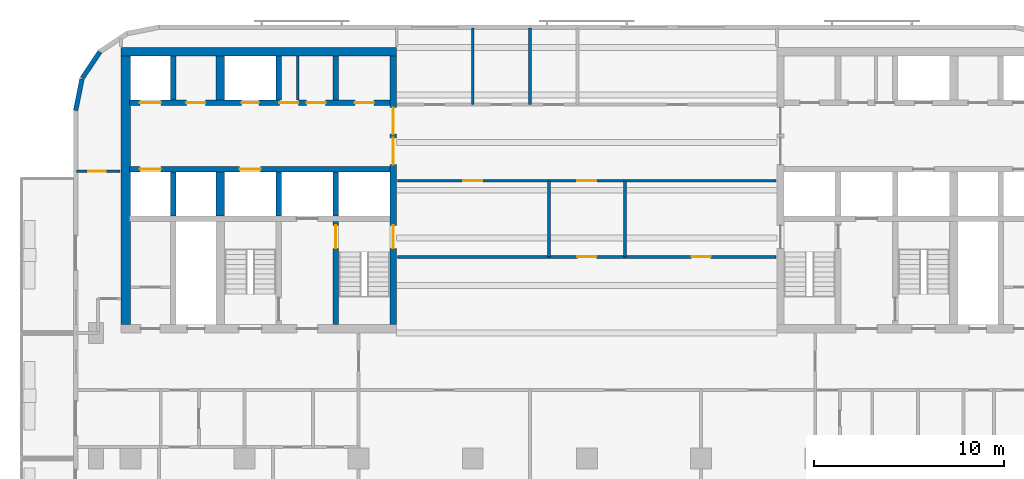
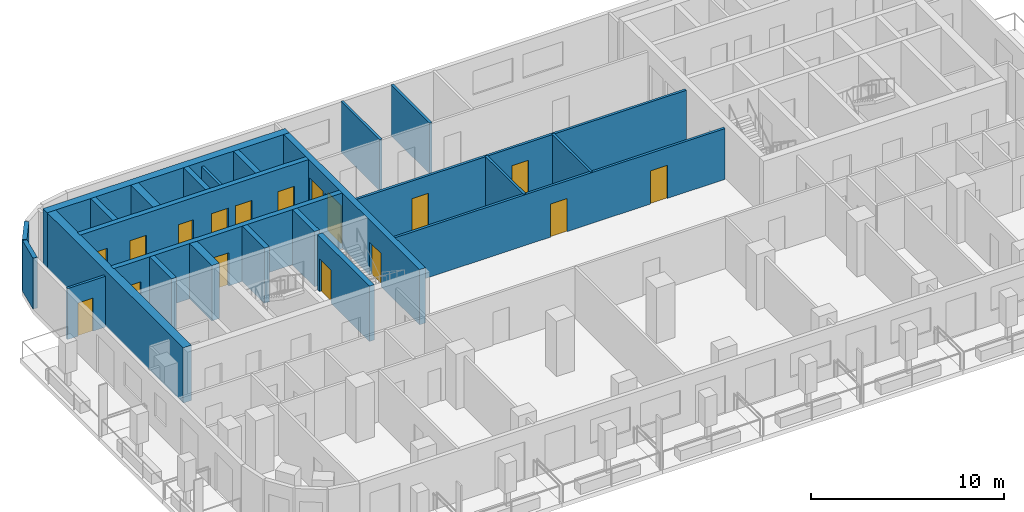
# One storey, part 4 of 11: 24 walls, 17 doors, 17 openings.
"""IFC4 building model written with IfcOpenShell, lengths in metres."""

from ifc_helpers import new_model, si_unit, direction, frame, frame_2d, origin, place, context, subcontext, project, spatial, rectangle, extrude, material, layer, layer_set, type_object, element, fill, save


model = new_model("IFC4")

# Units and contexts
model_context = context("Model", 3, precision=1e-05, world=origin(), true_north=direction((0.0, 1.0)))
body_context = subcontext(model_context, "Body", "Model", "MODEL_VIEW")
ifc_project = project(units=[si_unit("LENGTHUNIT", "METRE"), si_unit("AREAUNIT", "SQUARE_METRE"), si_unit("VOLUMEUNIT", "CUBIC_METRE"), si_unit("PLANEANGLEUNIT", "RADIAN"), si_unit("MASSUNIT", "GRAM", prefix="KILO")], contexts=[model_context])

# Site, building, storey
site_placement = place(None, origin())
site = spatial("IfcSite", under=ifc_project, at=site_placement, CompositionType="ELEMENT")
building_placement = place(site_placement, origin())
building = spatial("IfcBuilding", under=site, at=building_placement, Name="Torana Hotel and Residences", CompositionType="ELEMENT")
storey_placement = place(building_placement, frame((0.0, 0.0, 225.60009765625)))
storey = spatial("IfcBuildingStorey", under=building, at=storey_placement, Name="L59", CompositionType="ELEMENT", Elevation=225.60009765625)

# Wall, openings, doors
ifc_material_1 = material(Name="Concrete C70/85", Category="concrete")
ifc_layer_1 = layer(ifc_material_1, 0.300048828125)
ifc_layer_set_1 = layer_set([ifc_layer_1], Name="CORE WALL 300 C70/85")
wall_type_1 = type_object("IfcWallType", Name="CORE WALL 300 C70/85", PredefinedType="SHEAR", material=ifc_layer_set_1)
wall_1_placement = place(storey_placement, frame((-24.050048828125, -2.89990234375, 0.0), z_axis=(0.0, 0.0, 1.0), x_axis=(1.0, 0.0, 0.0)))
wall_1 = element("IfcWall", 1, at=wall_1_placement, inside=storey, type_object=wall_type_1, Name="Core wall W row-N", PredefinedType="SHEAR", context=body_context, shape_type="SweptSolid", body=[
    extrude(rectangle(XDim=13.699951171875, YDim=0.300048828125, at=frame_2d((6.85009765625, 0.0))), origin(), (0.0, 0.0, 1.0), 3.5),
])
opening_1_placement = place(wall_1_placement, frame((0.550048828125, 0.0, 0.0)))
opening_1 = element("IfcOpeningElement", 2, at=opening_1_placement, cuts=wall_1, Name="Opening LD", PredefinedType="OPENING", context=body_context, shape_type="SweptSolid", body=[
    extrude(rectangle(XDim=1.10009765625, YDim=2.10009765625, at=frame_2d((0.550048828125, 1.050048828125))), frame((0.0, 0.159912109375, 0.0), z_axis=(0.0, -1.0, 0.0), x_axis=(1.0, 0.0, 0.0)), (0.0, 0.0, 1.0), 0.320068359375),
])
opening_2_placement = place(wall_1_placement, frame((5.89990234375, 0.0, 0.0)))
opening_2 = element("IfcOpeningElement", 3, at=opening_2_placement, cuts=wall_1, Name="Opening L59-08", PredefinedType="OPENING", context=body_context, shape_type="SweptSolid", body=[
    extrude(rectangle(XDim=0.89990234375, YDim=2.10009765625, at=frame_2d((0.449951171875, 1.050048828125))), frame((0.0, 0.159912109375, 0.0), z_axis=(0.0, -1.0, 0.0), x_axis=(1.0, 0.0, 0.0)), (0.0, 0.0, 1.0), 0.320068359375),
])
opening_3_placement = place(wall_1_placement, frame((11.85009765625, 0.0, 0.0)))
opening_3 = element("IfcOpeningElement", 4, at=opening_3_placement, cuts=wall_1, Name="Opening L59-09", PredefinedType="OPENING", context=body_context, shape_type="SweptSolid", body=[
    extrude(rectangle(XDim=1.0, YDim=2.10009765625, at=frame_2d((0.5, 1.050048828125))), frame((0.0, 0.159912109375, 0.0), z_axis=(0.0, -1.0, 0.0), x_axis=(1.0, 0.0, 0.0)), (0.0, 0.0, 1.0), 0.320068359375),
])
opening_4_placement = place(wall_1_placement, frame((9.3125, 0.0, 0.0)))
opening_4 = element("IfcOpeningElement", 5, at=opening_4_placement, cuts=wall_1, Name="Opening L59-10", PredefinedType="OPENING", context=body_context, shape_type="SweptSolid", body=[
    extrude(rectangle(XDim=1.0, YDim=2.10009765625, at=frame_2d((0.5, 1.050048828125))), frame((0.0, 0.159912109375, 0.0), z_axis=(0.0, -1.0, 0.0), x_axis=(1.0, 0.0, 0.0)), (0.0, 0.0, 1.0), 0.320068359375),
])
opening_5_placement = place(wall_1_placement, frame((7.887451171875, 0.0, 0.0)))
opening_5 = element("IfcOpeningElement", 6, at=opening_5_placement, cuts=wall_1, Name="Opening L59-11", PredefinedType="OPENING", context=body_context, shape_type="SweptSolid", body=[
    extrude(rectangle(XDim=1.0, YDim=2.10009765625, at=frame_2d((0.5, 1.050048828125))), frame((0.0, 0.159912109375, 0.0), z_axis=(0.0, -1.0, 0.0), x_axis=(1.0, 0.0, 0.0)), (0.0, 0.0, 1.0), 0.320068359375),
])
opening_6_placement = place(wall_1_placement, frame((3.0, 0.0, 0.0)))
opening_6 = element("IfcOpeningElement", 7, at=opening_6_placement, cuts=wall_1, Name="Opening L59-12", PredefinedType="OPENING", context=body_context, shape_type="SweptSolid", body=[
    extrude(rectangle(XDim=1.0, YDim=2.10009765625, at=frame_2d((0.5, 1.050048828125))), frame((0.0, 0.159912109375, 0.0), z_axis=(0.0, -1.0, 0.0), x_axis=(1.0, 0.0, 0.0)), (0.0, 0.0, 1.0), 0.320068359375),
])
ifc_material_2 = material(Name="Steel S235", Category="steel")
door_type_1 = type_object("IfcDoorType", Name="CORE ROOM FIRE DOOR D14 1000x2100", OperationType="SINGLE_SWING_LEFT", PredefinedType="DOOR", material=ifc_material_2)
door_1_placement = place(opening_3_placement, origin())
door_1 = element("IfcDoor", 8, at=door_1_placement, inside=storey, type_object=door_type_1, Name="N0 door L59", OperationType="SINGLE_SWING_RIGHT", OverallHeight=2.10009765625, OverallWidth=1.0, PredefinedType="DOOR", context=body_context, shape_type="SweptSolid", body=[
    extrude(rectangle(XDim=1.0, YDim=2.10009765625, at=frame_2d((0.5, 1.050048828125))), frame((0.0, 0.02490234375, 0.0), z_axis=(0.0, -1.0, 0.0), x_axis=(1.0, 0.0, 0.0)), (0.0, 0.0, 1.0), 0.050048828125),
])
fill(opening_3, door_1)
door_2_placement = place(opening_4_placement, origin())
door_2 = element("IfcDoor", 9, at=door_2_placement, inside=storey, type_object=door_type_1, Name="N1A door L59", OperationType="SINGLE_SWING_RIGHT", OverallHeight=2.10009765625, OverallWidth=1.0, PredefinedType="DOOR", context=body_context, shape_type="SweptSolid", body=[
    extrude(rectangle(XDim=1.0, YDim=2.10009765625, at=frame_2d((0.5, 1.050048828125))), frame((0.0, 0.02490234375, 0.0), z_axis=(0.0, -1.0, 0.0), x_axis=(1.0, 0.0, 0.0)), (0.0, 0.0, 1.0), 0.050048828125),
])
fill(opening_4, door_2)
door_3_placement = place(opening_5_placement, origin())
door_3 = element("IfcDoor", 10, at=door_3_placement, inside=storey, type_object=door_type_1, Name="N1B door L59", OperationType="SINGLE_SWING_RIGHT", OverallHeight=2.10009765625, OverallWidth=1.0, PredefinedType="DOOR", context=body_context, shape_type="SweptSolid", body=[
    extrude(rectangle(XDim=1.0, YDim=2.10009765625, at=frame_2d((0.5, 1.050048828125))), frame((0.0, 0.02490234375, 0.0), z_axis=(0.0, -1.0, 0.0), x_axis=(1.0, 0.0, 0.0)), (0.0, 0.0, 1.0), 0.050048828125),
])
fill(opening_5, door_3)
door_4_placement = place(opening_6_placement, origin())
door_4 = element("IfcDoor", 11, at=door_4_placement, inside=storey, type_object=door_type_1, Name="Freed-S1 door L59", OperationType="SINGLE_SWING_RIGHT", OverallHeight=2.10009765625, OverallWidth=1.0, PredefinedType="DOOR", context=body_context, shape_type="SweptSolid", body=[
    extrude(rectangle(XDim=1.0, YDim=2.10009765625, at=frame_2d((0.5, 1.050048828125))), frame((0.0, 0.02490234375, 0.0), z_axis=(0.0, -1.0, 0.0), x_axis=(1.0, 0.0, 0.0)), (0.0, 0.0, 1.0), 0.050048828125),
])
fill(opening_6, door_4)
ifc_material_3 = material(Name="Stainless steel 316", Category="steel")
door_type_2 = type_object("IfcDoorType", Name="LIFT LANDING DOOR LD 1100x2100", OperationType="DOUBLE_DOOR_SLIDING", PredefinedType="USERDEFINED", material=ifc_material_3)
door_5_placement = place(opening_1_placement, origin())
door_5 = element("IfcDoor", 12, at=door_5_placement, inside=storey, type_object=door_type_2, Name="Lift landing door M1 L59", ObjectType="LIFT LANDING DOOR", OperationType="DOUBLE_DOOR_SLIDING", OverallHeight=2.10009765625, OverallWidth=1.10009765625, PredefinedType="USERDEFINED", context=body_context, shape_type="SweptSolid", body=[
    extrude(rectangle(XDim=1.10009765625, YDim=2.10009765625, at=frame_2d((0.550048828125, 1.050048828125))), frame((0.0, 0.02490234375, 0.0), z_axis=(0.0, -1.0, 0.0), x_axis=(1.0, 0.0, 0.0)), (0.0, 0.0, 1.0), 0.050048828125),
])
fill(opening_1, door_5)
ifc_material_4 = material(Name="Steel S235", Category="steel")
door_type_3 = type_object("IfcDoorType", Name="RISER ACCESS DOOR D5 900x2100", OperationType="SINGLE_SWING_LEFT", PredefinedType="DOOR", material=ifc_material_4)
door_6_placement = place(opening_2_placement, origin())
door_6 = element("IfcDoor", 13, at=door_6_placement, inside=storey, type_object=door_type_3, Name="N2 door L59", OperationType="SINGLE_SWING_RIGHT", OverallHeight=2.10009765625, OverallWidth=0.89990234375, PredefinedType="DOOR", context=body_context, shape_type="SweptSolid", body=[
    extrude(rectangle(XDim=0.89990234375, YDim=2.10009765625, at=frame_2d((0.449951171875, 1.050048828125))), frame((0.0, 0.02490234375, 0.0), z_axis=(0.0, -1.0, 0.0), x_axis=(1.0, 0.0, 0.0)), (0.0, 0.0, 1.0), 0.050048828125),
])
fill(opening_2, door_6)

wall_2_placement = place(storey_placement, frame((-24.050048828125, -6.39990234375, 0.0), z_axis=(0.0, 0.0, 1.0), x_axis=(1.0, 0.0, 0.0)))
wall_2 = element("IfcWall", 14, at=wall_2_placement, inside=storey, type_object=wall_type_1, Name="Core wall W row-S", PredefinedType="SHEAR", context=body_context, shape_type="SweptSolid", body=[
    extrude(rectangle(XDim=13.699951171875, YDim=0.300048828125, at=frame_2d((6.85009765625, 0.0))), origin(), (0.0, 0.0, 1.0), 3.5),
])
opening_7_placement = place(wall_2_placement, frame((0.550048828125, 0.0, 0.0)))
opening_7 = element("IfcOpeningElement", 15, at=opening_7_placement, cuts=wall_2, Name="Opening LD", PredefinedType="OPENING", context=body_context, shape_type="SweptSolid", body=[
    extrude(rectangle(XDim=1.10009765625, YDim=2.10009765625, at=frame_2d((0.550048828125, 1.050048828125))), frame((0.0, 0.159912109375, 0.0), z_axis=(0.0, -1.0, 0.0), x_axis=(1.0, 0.0, 0.0)), (0.0, 0.0, 1.0), 0.320068359375),
])
opening_8_placement = place(wall_2_placement, frame((5.800048828125, 0.0, 0.0)))
opening_8 = element("IfcOpeningElement", 16, at=opening_8_placement, cuts=wall_2, Name="Opening LD", PredefinedType="OPENING", context=body_context, shape_type="SweptSolid", body=[
    extrude(rectangle(XDim=1.10009765625, YDim=2.10009765625, at=frame_2d((0.550048828125, 1.050048828125))), frame((0.0, 0.159912109375, 0.0), z_axis=(0.0, -1.0, 0.0), x_axis=(1.0, 0.0, 0.0)), (0.0, 0.0, 1.0), 0.320068359375),
])
door_7_placement = place(opening_7_placement, origin())
door_7 = element("IfcDoor", 17, at=door_7_placement, inside=storey, type_object=door_type_2, Name="Lift landing door M2 L59", ObjectType="LIFT LANDING DOOR", OperationType="DOUBLE_DOOR_SLIDING", OverallHeight=2.10009765625, OverallWidth=1.10009765625, PredefinedType="USERDEFINED", context=body_context, shape_type="SweptSolid", body=[
    extrude(rectangle(XDim=1.10009765625, YDim=2.10009765625, at=frame_2d((0.550048828125, 1.050048828125))), frame((0.0, 0.02490234375, 0.0), z_axis=(0.0, -1.0, 0.0), x_axis=(1.0, 0.0, 0.0)), (0.0, 0.0, 1.0), 0.050048828125),
])
fill(opening_7, door_7)
door_8_placement = place(opening_8_placement, origin())
door_8 = element("IfcDoor", 18, at=door_8_placement, inside=storey, type_object=door_type_2, Name="Lift landing door SV1 L59", ObjectType="LIFT LANDING DOOR", OperationType="DOUBLE_DOOR_SLIDING", OverallHeight=2.10009765625, OverallWidth=1.10009765625, PredefinedType="USERDEFINED", context=body_context, shape_type="SweptSolid", body=[
    extrude(rectangle(XDim=1.10009765625, YDim=2.10009765625, at=frame_2d((0.550048828125, 1.050048828125))), frame((0.0, 0.02490234375, 0.0), z_axis=(0.0, -1.0, 0.0), x_axis=(1.0, 0.0, 0.0)), (0.0, 0.0, 1.0), 0.050048828125),
])
fill(opening_8, door_8)

# Walls
for number, where, z_axis, x_axis, name in (
    (19, (-13.199951171875, -2.75, 0.0), (0.0, 0.0, 1.0), (0.0, 1.0, 0.0), "Core wall W x3.05-N"),
    (20, (-13.199951171875, -8.85009765625, 0.0), (0.0, 0.0, 1.0), (0.0, 1.0, 0.0), "Core wall W x3.05-S"),
):
    element("IfcWall", number, at=place(storey_placement, frame(where, z_axis=z_axis, x_axis=x_axis)), inside=storey, type_object=wall_type_1, Name=name, PredefinedType="SHEAR", context=body_context, shape_type="SweptSolid", body=[
        extrude(rectangle(XDim=2.300048828125, YDim=0.300048828125, at=frame_2d((1.14990234375, 0.0))), origin(), (0.0, 0.0, 1.0), 3.5),
    ])

# Wall, opening, door
wall_3_placement = place(storey_placement, frame((-13.199951171875, -14.550048828125, 0.0), z_axis=(0.0, 0.0, 1.0), x_axis=(0.0, 1.0, 0.0)))
wall_3 = element("IfcWall", 21, at=wall_3_placement, inside=storey, type_object=wall_type_1, Name="Core wall W x3.05-band", PredefinedType="SHEAR", context=body_context, shape_type="SweptSolid", body=[
    extrude(rectangle(XDim=5.400146484375, YDim=0.300048828125, at=frame_2d((2.7001953125, 0.0))), origin(), (0.0, 0.0, 1.0), 3.5),
])
opening_9_placement = place(wall_3_placement, frame((4.0, 0.0, 0.0)))
opening_9 = element("IfcOpeningElement", 22, at=opening_9_placement, cuts=wall_3, Name="Opening L59-13", PredefinedType="OPENING", context=body_context, shape_type="SweptSolid", body=[
    extrude(rectangle(XDim=1.199951171875, YDim=2.10009765625, at=frame_2d((0.60009765625, 1.050048828125))), frame((0.0, 0.159912109375, 0.0), z_axis=(0.0, -1.0, 0.0), x_axis=(1.0, 0.0, 0.0)), (0.0, 0.0, 1.0), 0.320068359375),
])
ifc_material_5 = material(Name="Steel S235", Category="steel")
door_type_4 = type_object("IfcDoorType", Name="STAIR FIRE DOOR D3 1200x2100", OperationType="SINGLE_SWING_LEFT", PredefinedType="DOOR", material=ifc_material_5)
door_9_placement = place(opening_9_placement, frame((0.60009765625, 0.0, 0.0), z_axis=(0.0, 0.0, 1.0), x_axis=(-1.0, 0.0, 0.0)))
door_9 = element("IfcDoor", 23, at=door_9_placement, inside=storey, type_object=door_type_4, Name="Stair-A-lobby door L59", OperationType="SINGLE_SWING_RIGHT", OverallHeight=2.10009765625, OverallWidth=1.199951171875, PredefinedType="DOOR", context=body_context, shape_type="SweptSolid", body=[
    extrude(rectangle(XDim=1.199951171875, YDim=2.10009765625, at=frame_2d((0.0, 1.050048828125))), frame((0.0, -0.02490234375, 0.0), z_axis=(0.0, 1.0, 0.0), x_axis=(-1.0, 0.0, 0.0)), (0.0, 0.0, 1.0), 0.050048828125),
])
fill(opening_9, door_9)

# Walls
for number, where, z_axis, x_axis, name in (
    (24, (-16.199951171875, -2.75, 0.0), (0.0, 0.0, 1.0), (0.0, 1.0, 0.0), "Core wall W x6.05-N"),
    (25, (-16.199951171875, -8.85009765625, 0.0), (0.0, 0.0, 1.0), (0.0, 1.0, 0.0), "Core wall W x6.05-S"),
    (26, (-21.75, -2.75, 0.0), (0.0, 0.0, 1.0), (0.0, 1.0, 0.0), "Core wall W mm-N"),
    (27, (-21.75, -8.85009765625, 0.0), (0.0, 0.0, 1.0), (0.0, 1.0, 0.0), "Core wall W mm-S"),
):
    element("IfcWall", number, at=place(storey_placement, frame(where, z_axis=z_axis, x_axis=x_axis)), inside=storey, type_object=wall_type_1, Name=name, PredefinedType="SHEAR", context=body_context, shape_type="SweptSolid", body=[
        extrude(rectangle(XDim=2.300048828125, YDim=0.300048828125, at=frame_2d((1.14990234375, 0.0))), origin(), (0.0, 0.0, 1.0), 3.5),
    ])

# Wall, openings, doors
ifc_material_6 = material(Name="Concrete C70/85", Category="concrete")
ifc_layer_2 = layer(ifc_material_6, 0.35009765625)
ifc_layer_set_2 = layer_set([ifc_layer_2], Name="CORE WALL 350 C70/85")
wall_type_2 = type_object("IfcWallType", Name="CORE WALL 350 C70/85", PredefinedType="SHEAR", material=ifc_layer_set_2)
wall_4_placement = place(storey_placement, frame((-10.175048828125, -14.550048828125, 0.0), z_axis=(0.0, 0.0, 1.0), x_axis=(0.0, 1.0, 0.0)))
wall_4 = element("IfcWall", 28, at=wall_4_placement, inside=storey, type_object=wall_type_2, Name="Core wall W arch", PredefinedType="SHEAR", context=body_context, shape_type="SweptSolid", body=[
    extrude(rectangle(XDim=14.10009765625, YDim=0.35009765625, at=frame_2d((7.050048828125, 0.0))), origin(), (0.0, 0.0, 1.0), 3.5),
])
opening_10_placement = place(wall_4_placement, frame((8.39990234375, 0.0, 0.0)))
opening_10 = element("IfcOpeningElement", 29, at=opening_10_placement, cuts=wall_4, Name="Opening L59-01", PredefinedType="OPENING", context=body_context, shape_type="SweptSolid", body=[
    extrude(rectangle(XDim=1.39990234375, YDim=2.39990234375, at=frame_2d((0.699951171875, 1.199951171875))), frame((0.0, 0.18505859375, 0.0), z_axis=(0.0, -1.0, 0.0), x_axis=(1.0, 0.0, 0.0)), (0.0, 0.0, 1.0), 0.3701171875),
])
opening_11_placement = place(wall_4_placement, frame((10.0, 0.0, 0.0)))
opening_11 = element("IfcOpeningElement", 30, at=opening_11_placement, cuts=wall_4, Name="Opening L59-02", PredefinedType="OPENING", context=body_context, shape_type="SweptSolid", body=[
    extrude(rectangle(XDim=1.39990234375, YDim=2.39990234375, at=frame_2d((0.699951171875, 1.199951171875))), frame((0.0, 0.18505859375, 0.0), z_axis=(0.0, -1.0, 0.0), x_axis=(1.0, 0.0, 0.0)), (0.0, 0.0, 1.0), 0.3701171875),
])
opening_12_placement = place(wall_4_placement, frame((4.0, 0.0, 0.0)))
opening_12 = element("IfcOpeningElement", 31, at=opening_12_placement, cuts=wall_4, Name="Opening L59-03", PredefinedType="OPENING", context=body_context, shape_type="SweptSolid", body=[
    extrude(rectangle(XDim=1.199951171875, YDim=2.10009765625, at=frame_2d((0.60009765625, 1.050048828125))), frame((0.0, 0.18505859375, 0.0), z_axis=(0.0, -1.0, 0.0), x_axis=(1.0, 0.0, 0.0)), (0.0, 0.0, 1.0), 0.3701171875),
])
ifc_material_7 = material(Name="Steel S235", Category="steel")
door_type_5 = type_object("IfcDoorType", Name="LOBBY FIRE DOOR D4 1400x2400", OperationType="DOUBLE_DOOR_SINGLE_SWING", PredefinedType="DOOR", material=ifc_material_7)
door_10_placement = place(opening_10_placement, origin())
door_10 = element("IfcDoor", 32, at=door_10_placement, inside=storey, type_object=door_type_5, Name="Lobby-1 door L59", OperationType="DOUBLE_DOOR_SINGLE_SWING", OverallHeight=2.39990234375, OverallWidth=1.39990234375, PredefinedType="DOOR", context=body_context, shape_type="SweptSolid", body=[
    extrude(rectangle(XDim=1.39990234375, YDim=2.39990234375, at=frame_2d((0.699951171875, 1.199951171875))), frame((0.0, 0.02490234375, 0.0), z_axis=(0.0, -1.0, 0.0), x_axis=(1.0, 0.0, 0.0)), (0.0, 0.0, 1.0), 0.050048828125),
])
fill(opening_10, door_10)
door_11_placement = place(opening_11_placement, origin())
door_11 = element("IfcDoor", 33, at=door_11_placement, inside=storey, type_object=door_type_5, Name="Lobby-2 door L59", OperationType="DOUBLE_DOOR_SINGLE_SWING", OverallHeight=2.39990234375, OverallWidth=1.39990234375, PredefinedType="DOOR", context=body_context, shape_type="SweptSolid", body=[
    extrude(rectangle(XDim=1.39990234375, YDim=2.39990234375, at=frame_2d((0.699951171875, 1.199951171875))), frame((0.0, 0.02490234375, 0.0), z_axis=(0.0, -1.0, 0.0), x_axis=(1.0, 0.0, 0.0)), (0.0, 0.0, 1.0), 0.050048828125),
])
fill(opening_11, door_11)
door_12_placement = place(opening_12_placement, origin())
door_12 = element("IfcDoor", 34, at=door_12_placement, inside=storey, type_object=door_type_4, Name="Stair-A door L59", OperationType="SINGLE_SWING_LEFT", OverallHeight=2.10009765625, OverallWidth=1.199951171875, PredefinedType="DOOR", context=body_context, shape_type="SweptSolid", body=[
    extrude(rectangle(XDim=1.199951171875, YDim=2.10009765625, at=frame_2d((0.60009765625, 1.050048828125))), frame((0.0, 0.02490234375, 0.0), z_axis=(0.0, -1.0, 0.0), x_axis=(1.0, 0.0, 0.0)), (0.0, 0.0, 1.0), 0.050048828125),
])
fill(opening_12, door_12)

# Walls
ifc_material_8 = material(Name="Concrete C70/85", Category="concrete")
ifc_layer_3 = layer(ifc_material_8, 0.449951171875)
ifc_layer_set_3 = layer_set([ifc_layer_3], Name="CORE WALL 450 C70/85")
wall_type_3 = type_object("IfcWallType", Name="CORE WALL 450 C70/85", PredefinedType="SHEAR", material=ifc_layer_set_3)
wall_5_placement = place(storey_placement, frame((-24.5, -0.22509765625, 0.0), z_axis=(0.0, 0.0, 1.0), x_axis=(1.0, 0.0, 0.0)))
element("IfcWall", 35, at=wall_5_placement, inside=storey, type_object=wall_type_3, Name="Core wall W rear", PredefinedType="SHEAR", context=body_context, shape_type="SweptSolid", body=[
    extrude(rectangle(XDim=14.5, YDim=0.449951171875, at=frame_2d((7.25, 0.0))), origin(), (0.0, 0.0, 1.0), 3.5),
])
for number, where, z_axis, x_axis, name in (
    (36, (-19.27490234375, -2.75, 0.0), (0.0, 0.0, 1.0), (0.0, 1.0, 0.0), "Core wall W hm-N"),
    (37, (-19.27490234375, -8.85009765625, 0.0), (0.0, 0.0, 1.0), (0.0, 1.0, 0.0), "Core wall W hm-S"),
):
    element("IfcWall", number, at=place(storey_placement, frame(where, z_axis=z_axis, x_axis=x_axis)), inside=storey, type_object=wall_type_3, Name=name, PredefinedType="SHEAR", context=body_context, shape_type="SweptSolid", body=[
        extrude(rectangle(XDim=2.300048828125, YDim=0.449951171875, at=frame_2d((1.14990234375, 0.0))), origin(), (0.0, 0.0, 1.0), 3.5),
    ])
ifc_material_9 = material(Name="Concrete C70/85", Category="concrete")
ifc_layer_4 = layer(ifc_material_9, 0.5)
ifc_layer_set_4 = layer_set([ifc_layer_4], Name="CORE WALL 500 C70/85")
wall_type_4 = type_object("IfcWallType", Name="CORE WALL 500 C70/85", PredefinedType="SHEAR", material=ifc_layer_set_4)
wall_6_placement = place(storey_placement, frame((-24.25, -14.550048828125, 0.0), z_axis=(0.0, 0.0, 1.0), x_axis=(0.0, 1.0, 0.0)))
element("IfcWall", 38, at=wall_6_placement, inside=storey, type_object=wall_type_4, Name="Core wall W outer", PredefinedType="SHEAR", context=body_context, shape_type="SweptSolid", body=[
    extrude(rectangle(XDim=14.10009765625, YDim=0.5, at=frame_2d((7.050048828125, 0.0))), origin(), (0.0, 0.0, 1.0), 3.5),
])
ifc_material_10 = material(Name="Black aluminium composite panel", Category="aluminium")
ifc_layer_5 = layer(ifc_material_10, 0.00390625, Name="Cladding", Category="cladding")
ifc_material_11 = material(Name="Ventilated air cavity")
ifc_layer_6 = layer(ifc_material_11, 0.0400390625, Name="Ventilated cavity", Category="cavity")
ifc_material_12 = material(Name="Mineral wool insulation")
ifc_layer_7 = layer(ifc_material_12, 0.090087890625, Name="Insulation", Category="insulation")
ifc_material_13 = material(Name="Steel S280GD", Category="steel")
ifc_layer_8 = layer(ifc_material_13, 0.092041015625, Name="Steel stud frame", Category="structure")
ifc_material_14 = material(Name="Fire rated plasterboard")
ifc_layer_9 = layer(ifc_material_14, 0.011962890625, Name="Inner board", Category="finish")
ifc_layer_10 = layer(ifc_material_14, 0.011962890625, Name="Second board", Category="finish")
ifc_layer_set_5 = layer_set([ifc_layer_5, ifc_layer_6, ifc_layer_7, ifc_layer_8, ifc_layer_9, ifc_layer_10], Name="EW1 EXTERNAL WALL BLACK METAL CLAD 250")
wall_type_5 = type_object("IfcWallType", Name="EW1 EXTERNAL WALL BLACK METAL CLAD 250", PredefinedType="SOLIDWALL", material=ifc_layer_set_5)
wall_7_placement = place(storey_placement, frame((-25.605712890625, -0.228759765625, 0.0), z_axis=(0.0, 0.0, 1.0), x_axis=(-0.55555029066, -0.831482937015, 0.0)))
element("IfcWall", 39, at=wall_7_placement, inside=storey, type_object=wall_type_5, Name="External wall L59 e0.7", PredefinedType="SOLIDWALL", context=body_context, shape_type="SweptSolid", body=[
    extrude(rectangle(XDim=1.65625, YDim=0.25, at=frame_2d((0.828125, 0.0))), origin(), (0.0, 0.0, 1.0), 3.219970703125),
])
wall_8_placement = place(storey_placement, frame((-26.544677734375, -1.651123046875, 0.0), z_axis=(0.0, 0.0, 1.0), x_axis=(-0.194999110559, -0.980803419081, 0.0)))
element("IfcWall", 40, at=wall_8_placement, inside=storey, type_object=wall_type_5, Name="External wall L59 e0.8", PredefinedType="SOLIDWALL", context=body_context, shape_type="SweptSolid", body=[
    extrude(rectangle(XDim=1.681396484375, YDim=0.25, at=frame_2d((0.8408203125, 0.0))), origin(), (0.0, 0.0, 1.0), 3.219970703125),
])
ifc_material_15 = material(Name="Gypsum plaster")
ifc_layer_11 = layer(ifc_material_15, 0.014892578125, Name="Plaster", Category="finish")
ifc_material_16 = material(Name="Concrete blockwork", Category="masonry")
ifc_layer_12 = layer(ifc_material_16, 0.1201171875, Name="Blockwork", Category="structure")
ifc_layer_13 = layer(ifc_material_15, 0.014892578125, Name="Plaster", Category="finish")
ifc_layer_set_6 = layer_set([ifc_layer_11, ifc_layer_12, ifc_layer_13], Name="FIRE PARTITION 150 BLOCKWORK")
wall_type_6 = type_object("IfcWallType", Name="FIRE PARTITION 150 BLOCKWORK", PredefinedType="PARTITIONING", material=ifc_layer_set_6)
wall_9_placement = place(storey_placement, frame((-15.199951171875, -2.75, 0.0), z_axis=(0.0, 0.0, 1.0), x_axis=(0.0, 1.0, 0.0)))
element("IfcWall", 41, at=wall_9_placement, inside=storey, type_object=wall_type_6, Name="Core partition L59", PredefinedType="PARTITIONING", context=body_context, shape_type="SweptSolid", body=[
    extrude(rectangle(XDim=2.300048828125, YDim=0.14990234375, at=frame_2d((1.14990234375, 0.0))), origin(), (0.0, 0.0, 1.0), 3.199951171875),
])
for number, where, z_axis, x_axis, name in (
    (42, (2.0, -11.0, 0.0), (0.0, 0.0, 1.0), (0.0, 1.0, 0.0), "Partition L59"),
    (43, (-2.0, -11.0, 0.0), (0.0, 0.0, 1.0), (0.0, 1.0, 0.0), "Partition L59"),
):
    element("IfcWall", number, at=place(storey_placement, frame(where, z_axis=z_axis, x_axis=x_axis)), inside=storey, type_object=wall_type_6, Name=name, PredefinedType="PARTITIONING", context=body_context, shape_type="SweptSolid", body=[
        extrude(rectangle(XDim=4.0, YDim=0.14990234375, at=frame_2d((2.0, 0.0))), origin(), (0.0, 0.0, 1.0), 3.219970703125),
    ])

# Wall, openings, doors
wall_10_placement = place(storey_placement, frame((-9.949951171875, -11.0, 0.0), z_axis=(0.0, 0.0, 1.0), x_axis=(1.0, 0.0, 0.0)))
wall_10 = element("IfcWall", 44, at=wall_10_placement, inside=storey, type_object=wall_type_6, Name="Partition L59", PredefinedType="PARTITIONING", context=body_context, shape_type="SweptSolid", body=[
    extrude(rectangle(XDim=19.89990234375, YDim=0.14990234375, at=frame_2d((9.949951171875, 0.0))), origin(), (0.0, 0.0, 1.0), 3.219970703125),
])
opening_13_placement = place(wall_10_placement, frame((9.449951171875, 0.0, 0.0)))
opening_13 = element("IfcOpeningElement", 45, at=opening_13_placement, cuts=wall_10, Name="Opening L59-40", PredefinedType="OPENING", context=body_context, shape_type="SweptSolid", body=[
    extrude(rectangle(XDim=1.0, YDim=2.10009765625, at=frame_2d((0.5, 1.050048828125))), frame((0.0, 0.0849609375, 0.0), z_axis=(0.0, -1.0, 0.0), x_axis=(1.0, 0.0, 0.0)), (0.0, 0.0, 1.0), 0.169921875),
])
opening_14_placement = place(wall_10_placement, frame((15.449951171875, 0.0, 0.0)))
opening_14 = element("IfcOpeningElement", 46, at=opening_14_placement, cuts=wall_10, Name="Opening L59-44", PredefinedType="OPENING", context=body_context, shape_type="SweptSolid", body=[
    extrude(rectangle(XDim=1.0, YDim=2.10009765625, at=frame_2d((0.5, 1.050048828125))), frame((0.0, 0.0849609375, 0.0), z_axis=(0.0, -1.0, 0.0), x_axis=(1.0, 0.0, 0.0)), (0.0, 0.0, 1.0), 0.169921875),
])
ifc_material_17 = material(Name="Steel S235", Category="steel")
door_type_6 = type_object("IfcDoorType", Name="ENTRY FIRE DOOR D6 1000x2100", OperationType="SINGLE_SWING_LEFT", PredefinedType="DOOR", material=ifc_material_17)
door_13_placement = place(opening_13_placement, origin())
door_13 = element("IfcDoor", 47, at=door_13_placement, inside=storey, type_object=door_type_6, Name="Door L59", OperationType="SINGLE_SWING_RIGHT", OverallHeight=2.10009765625, OverallWidth=1.0, PredefinedType="DOOR", context=body_context, shape_type="SweptSolid", body=[
    extrude(rectangle(XDim=1.0, YDim=2.10009765625, at=frame_2d((0.5, 1.050048828125))), frame((0.0, 0.02490234375, 0.0), z_axis=(0.0, -1.0, 0.0), x_axis=(1.0, 0.0, 0.0)), (0.0, 0.0, 1.0), 0.050048828125),
])
fill(opening_13, door_13)
door_14_placement = place(opening_14_placement, origin())
door_14 = element("IfcDoor", 48, at=door_14_placement, inside=storey, type_object=door_type_6, Name="Door L59", OperationType="SINGLE_SWING_RIGHT", OverallHeight=2.10009765625, OverallWidth=1.0, PredefinedType="DOOR", context=body_context, shape_type="SweptSolid", body=[
    extrude(rectangle(XDim=1.0, YDim=2.10009765625, at=frame_2d((0.5, 1.050048828125))), frame((0.0, 0.02490234375, 0.0), z_axis=(0.0, -1.0, 0.0), x_axis=(1.0, 0.0, 0.0)), (0.0, 0.0, 1.0), 0.050048828125),
])
fill(opening_14, door_14)

wall_11_placement = place(storey_placement, frame((-9.949951171875, -7.0, 0.0), z_axis=(0.0, 0.0, 1.0), x_axis=(1.0, 0.0, 0.0)))
wall_11 = element("IfcWall", 49, at=wall_11_placement, inside=storey, type_object=wall_type_6, Name="Partition L59", PredefinedType="PARTITIONING", context=body_context, shape_type="SweptSolid", body=[
    extrude(rectangle(XDim=19.89990234375, YDim=0.14990234375, at=frame_2d((9.949951171875, 0.0))), origin(), (0.0, 0.0, 1.0), 3.219970703125),
])
opening_15_placement = place(wall_11_placement, frame((9.449951171875, 0.0, 0.0)))
opening_15 = element("IfcOpeningElement", 50, at=opening_15_placement, cuts=wall_11, Name="Opening L59-45", PredefinedType="OPENING", context=body_context, shape_type="SweptSolid", body=[
    extrude(rectangle(XDim=1.0, YDim=2.10009765625, at=frame_2d((0.5, 1.050048828125))), frame((0.0, 0.0849609375, 0.0), z_axis=(0.0, -1.0, 0.0), x_axis=(1.0, 0.0, 0.0)), (0.0, 0.0, 1.0), 0.169921875),
])
opening_16_placement = place(wall_11_placement, frame((3.449951171875, 0.0, 0.0)))
opening_16 = element("IfcOpeningElement", 51, at=opening_16_placement, cuts=wall_11, Name="Opening L59-46", PredefinedType="OPENING", context=body_context, shape_type="SweptSolid", body=[
    extrude(rectangle(XDim=1.0, YDim=2.10009765625, at=frame_2d((0.5, 1.050048828125))), frame((0.0, 0.0849609375, 0.0), z_axis=(0.0, -1.0, 0.0), x_axis=(1.0, 0.0, 0.0)), (0.0, 0.0, 1.0), 0.169921875),
])
door_15_placement = place(opening_15_placement, origin())
door_15 = element("IfcDoor", 52, at=door_15_placement, inside=storey, type_object=door_type_6, Name="Door L59", OperationType="SINGLE_SWING_RIGHT", OverallHeight=2.10009765625, OverallWidth=1.0, PredefinedType="DOOR", context=body_context, shape_type="SweptSolid", body=[
    extrude(rectangle(XDim=1.0, YDim=2.10009765625, at=frame_2d((0.5, 1.050048828125))), frame((0.0, 0.02490234375, 0.0), z_axis=(0.0, -1.0, 0.0), x_axis=(1.0, 0.0, 0.0)), (0.0, 0.0, 1.0), 0.050048828125),
])
fill(opening_15, door_15)
door_16_placement = place(opening_16_placement, frame((0.5, 0.0, 0.0), z_axis=(0.0, 0.0, 1.0), x_axis=(-1.0, 0.0, 0.0)))
door_16 = element("IfcDoor", 53, at=door_16_placement, inside=storey, type_object=door_type_6, Name="Door L59", OperationType="SINGLE_SWING_LEFT", OverallHeight=2.10009765625, OverallWidth=1.0, PredefinedType="DOOR", context=body_context, shape_type="SweptSolid", body=[
    extrude(rectangle(XDim=1.0, YDim=2.10009765625, at=frame_2d((0.0, 1.050048828125))), frame((0.0, -0.02490234375, 0.0), z_axis=(0.0, 1.0, 0.0), x_axis=(-1.0, 0.0, 0.0)), (0.0, 0.0, 1.0), 0.050048828125),
])
fill(opening_16, door_16)

# Wall, opening, door
ifc_material_18 = material(Name="Gypsum plasterboard")
ifc_layer_14 = layer(ifc_material_18, 0.012451171875, Name="Plasterboard", Category="finish")
ifc_layer_15 = layer(ifc_material_18, 0.012451171875, Name="Plasterboard", Category="finish")
ifc_layer_16 = layer(ifc_material_13, 0.10009765625, Name="Steel studs with mineral wool", Category="insulation")
ifc_layer_17 = layer(ifc_material_18, 0.012451171875, Name="Plasterboard", Category="finish")
ifc_layer_18 = layer(ifc_material_18, 0.012451171875, Name="Plasterboard", Category="finish")
ifc_layer_set_7 = layer_set([ifc_layer_14, ifc_layer_15, ifc_layer_16, ifc_layer_17, ifc_layer_18], Name="PARTITION 150 PLASTERBOARD")
wall_type_7 = type_object("IfcWallType", Name="PARTITION 150 PLASTERBOARD", PredefinedType="PARTITIONING", material=ifc_layer_set_7)
wall_12_placement = place(storey_placement, frame((-26.820068359375, -6.5, 0.0), z_axis=(0.0, 0.0, 1.0), x_axis=(1.0, 0.0, 0.0)))
wall_12 = element("IfcWall", 54, at=wall_12_placement, inside=storey, type_object=wall_type_7, Name="Partition L59", PredefinedType="PARTITIONING", context=body_context, shape_type="SweptSolid", body=[
    extrude(rectangle(XDim=2.27001953125, YDim=0.14990234375, at=frame_2d((1.135009765625, 0.0))), origin(), (0.0, 0.0, 1.0), 3.219970703125),
])
opening_17_placement = place(wall_12_placement, frame((0.6201171875, 0.0, 0.0)))
opening_17 = element("IfcOpeningElement", 55, at=opening_17_placement, cuts=wall_12, Name="Opening L59-64", PredefinedType="OPENING", context=body_context, shape_type="SweptSolid", body=[
    extrude(rectangle(XDim=0.89990234375, YDim=2.10009765625, at=frame_2d((0.449951171875, 1.050048828125))), frame((0.0, 0.0849609375, 0.0), z_axis=(0.0, -1.0, 0.0), x_axis=(1.0, 0.0, 0.0)), (0.0, 0.0, 1.0), 0.169921875),
])
ifc_material_19 = material(Name="Timber door, oiled ash", Category="wood")
door_type_7 = type_object("IfcDoorType", Name="ROOM DOOR D7 900x2100", OperationType="SINGLE_SWING_LEFT", PredefinedType="DOOR", material=ifc_material_19)
door_17_placement = place(opening_17_placement, origin())
door_17 = element("IfcDoor", 56, at=door_17_placement, inside=storey, type_object=door_type_7, Name="Door L59", OperationType="SINGLE_SWING_RIGHT", OverallHeight=2.10009765625, OverallWidth=0.89990234375, PredefinedType="DOOR", context=body_context, shape_type="SweptSolid", body=[
    extrude(rectangle(XDim=0.89990234375, YDim=2.10009765625, at=frame_2d((0.449951171875, 1.050048828125))), frame((0.0, 0.02490234375, 0.0), z_axis=(0.0, -1.0, 0.0), x_axis=(1.0, 0.0, 0.0)), (0.0, 0.0, 1.0), 0.050048828125),
])
fill(opening_17, door_17)

# Walls
ifc_material_20 = material(Name="Ceramic tile on adhesive")
ifc_layer_19 = layer(ifc_material_20, 0.010009765625, Name="Wall tile", Category="finish")
ifc_material_21 = material(Name="Cement render")
ifc_layer_20 = layer(ifc_material_21, 0.010009765625, Name="Render", Category="finish")
ifc_layer_21 = layer(ifc_material_16, 0.110107421875, Name="Blockwork", Category="structure")
ifc_layer_22 = layer(ifc_material_21, 0.010009765625, Name="Render", Category="finish")
ifc_layer_23 = layer(ifc_material_20, 0.010009765625, Name="Wall tile", Category="finish")
ifc_layer_set_8 = layer_set([ifc_layer_19, ifc_layer_20, ifc_layer_21, ifc_layer_22, ifc_layer_23], Name="WC PARTITION 150")
wall_type_8 = type_object("IfcWallType", Name="WC PARTITION 150", PredefinedType="PLUMBINGWALL", material=ifc_layer_set_8)
for number, where, z_axis, x_axis, name in (
    (57, (-3.0, -3.0, 0.0), (0.0, 0.0, 1.0), (0.0, 1.0, 0.0), "Partition L59"),
    (58, (-6.0, -3.0, 0.0), (0.0, 0.0, 1.0), (0.0, 1.0, 0.0), "Partition L59"),
):
    element("IfcWall", number, at=place(storey_placement, frame(where, z_axis=z_axis, x_axis=x_axis)), inside=storey, type_object=wall_type_8, Name=name, PredefinedType="PLUMBINGWALL", context=body_context, shape_type="SweptSolid", body=[
        extrude(rectangle(XDim=4.02001953125, YDim=0.14990234375, at=frame_2d((2.010009765625, 0.0))), origin(), (0.0, 0.0, 1.0), 3.219970703125),
    ])

save(model, "model.ifc")
